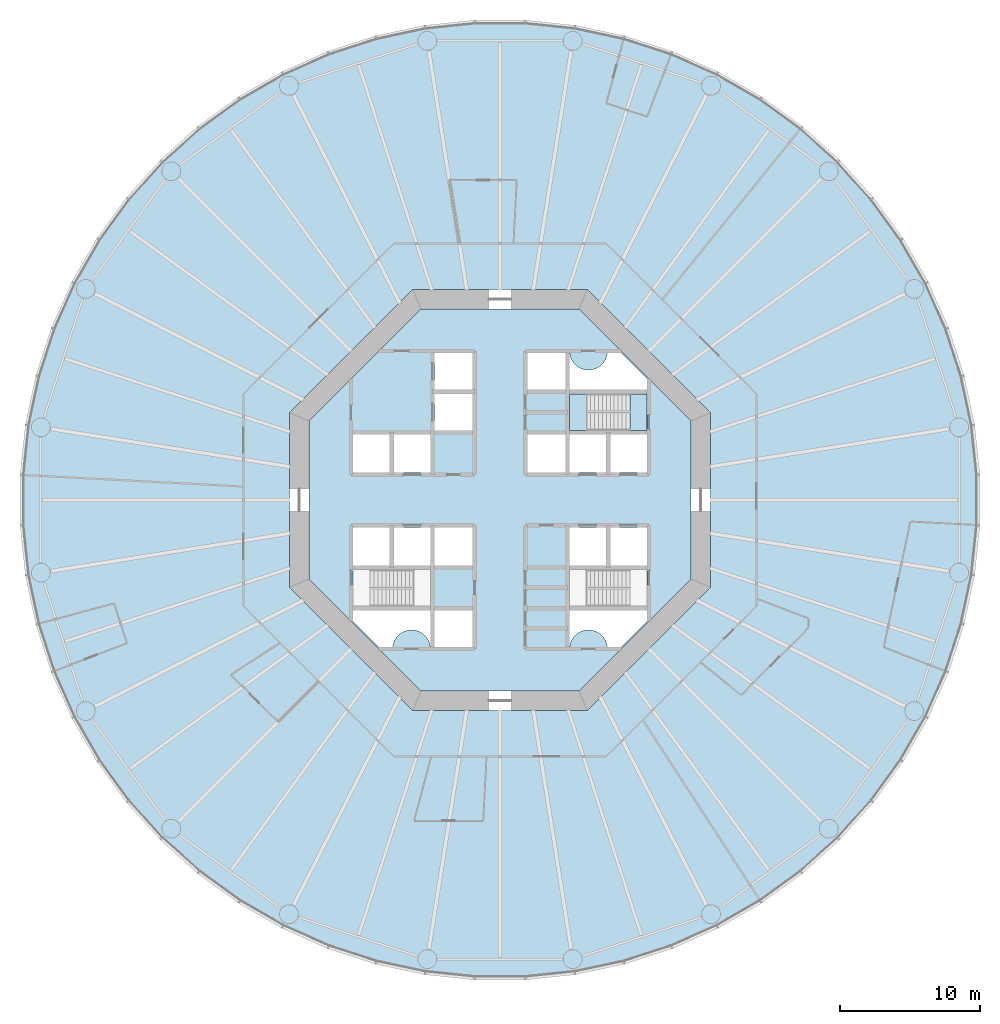
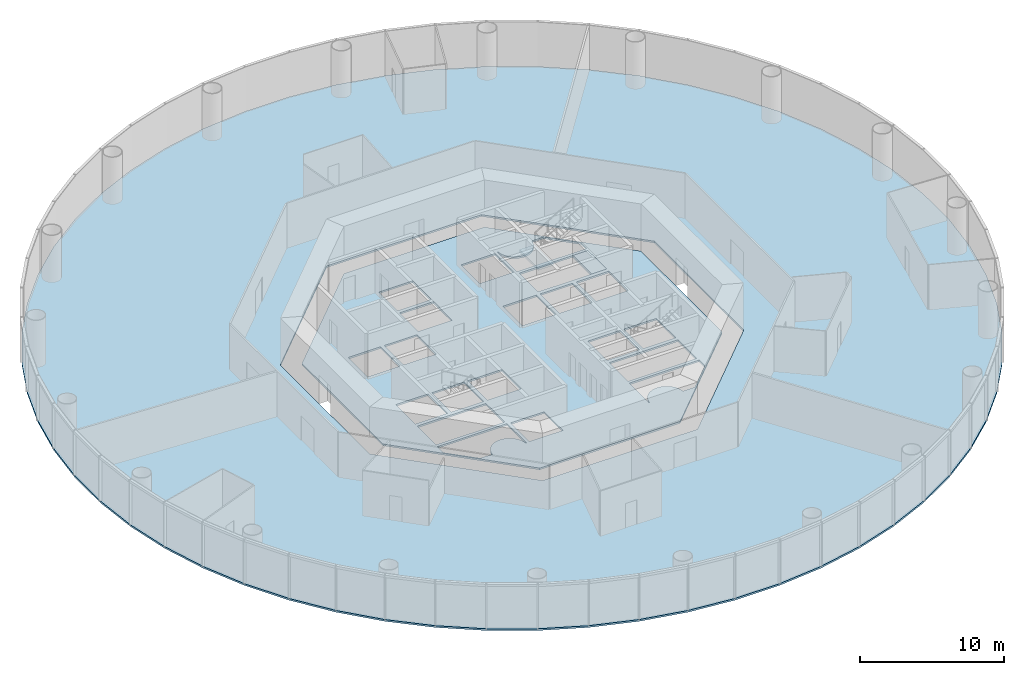
# One storey, part 2 of 13: 4 slabs, 1 element without a shape of its own.
"""IFC4 building model written with IfcOpenShell, lengths in metres."""

from ifc_helpers import new_model, si_unit, direction, frame, origin, place, context, subcontext, project, spatial, polyline, outline, extrude, material, layer, layer_set, type_object, element, aggregate, save


model = new_model("IFC4")

# Units and contexts
model_context = context("Model", 3, precision=1e-05, world=origin(), true_north=direction((0.0, 1.0)))
body_context = subcontext(model_context, "Body", "Model", "MODEL_VIEW")
ifc_project = project(units=[si_unit("LENGTHUNIT", "METRE"), si_unit("AREAUNIT", "SQUARE_METRE"), si_unit("VOLUMEUNIT", "CUBIC_METRE"), si_unit("PLANEANGLEUNIT", "RADIAN"), si_unit("MASSUNIT", "GRAM", prefix="KILO")], contexts=[model_context])

# Site, building, storey
site_placement = place(None, origin())
site = spatial("IfcSite", under=ifc_project, at=site_placement, CompositionType="ELEMENT")
building_placement = place(site_placement, origin())
building = spatial("IfcBuilding", under=site, at=building_placement, Name="Entoto Ring Tower", CompositionType="ELEMENT")
storey_placement = place(building_placement, frame((0.0, 0.0, 46.0)))
storey = spatial("IfcBuildingStorey", under=building, at=storey_placement, Name="L09", CompositionType="ELEMENT", Elevation=46.0)

# Slabs
ifc_material_1 = material(Name="Concrete C30/37", Category="concrete")
ifc_layer_1 = layer(ifc_material_1, 0.14990234375)
ifc_layer_set_1 = layer_set([ifc_layer_1], Name="Concrete C30/37")
slab_type_1 = type_object("IfcSlabType", Name="Composite floor slab 150 mm", PredefinedType="FLOOR", material=ifc_layer_set_1)
slab_1_placement = place(storey_placement, frame((0.0, 0.0, -0.14990234375)))
element("IfcSlab", 1, at=slab_1_placement, inside=storey, type_object=slab_type_1, Name="Floor slab L09", PredefinedType="FLOOR", context=body_context, shape_type="SweptSolid", body=[
    extrude(outline(polyline([(123.68017578125, 85.33447265625), (122.93798828125, 88.82568359375), (121.835205078125, 92.220458984375), (120.38330078125, 95.48095703125), (118.5986328125, 98.572265625), (116.500732421875, 101.459716796875), (114.1123046875, 104.1123046875), (111.459716796875, 106.500732421875), (108.572265625, 108.5986328125), (105.48095703125, 110.38330078125), (102.220458984375, 111.835205078125), (98.82568359375, 112.93798828125), (95.33447265625, 113.68017578125), (91.78466796875, 114.05322265625), (88.21533203125, 114.05322265625), (84.66552734375, 113.68017578125), (81.17431640625, 112.93798828125), (77.779541015625, 111.835205078125), (74.51904296875, 110.38330078125), (71.427734375, 108.5986328125), (68.540283203125, 106.500732421875), (65.8876953125, 104.1123046875), (63.499267578125, 101.459716796875), (61.4013671875, 98.572265625), (59.61669921875, 95.48095703125), (58.164794921875, 92.220458984375), (57.06201171875, 88.82568359375), (56.31982421875, 85.33447265625), (55.94677734375, 81.78466796875), (55.94677734375, 78.21533203125), (56.31982421875, 74.66552734375), (57.06201171875, 71.17431640625), (58.164794921875, 67.779541015625), (59.61669921875, 64.51904296875), (61.4013671875, 61.427734375), (63.499267578125, 58.540283203125), (65.8876953125, 55.8876953125), (68.540283203125, 53.499267578125), (71.427734375, 51.4013671875), (74.51904296875, 49.61669921875), (77.779541015625, 48.164794921875), (81.17431640625, 47.06201171875), (84.66552734375, 46.31982421875), (88.21533203125, 45.94677734375), (91.78466796875, 45.94677734375), (95.33447265625, 46.31982421875), (98.82568359375, 47.06201171875), (102.220458984375, 48.164794921875), (105.48095703125, 49.61669921875), (108.572265625, 51.4013671875), (111.459716796875, 53.499267578125), (114.1123046875, 55.8876953125), (116.500732421875, 58.540283203125), (118.5986328125, 61.427734375), (120.38330078125, 64.51904296875), (121.835205078125, 67.779541015625), (122.93798828125, 71.17431640625), (123.68017578125, 74.66552734375), (124.05322265625, 78.21533203125), (124.05322265625, 81.78466796875), (123.68017578125, 85.33447265625)]), holes=[polyline([(105.0, 73.786865234375), (105.0, 86.213134765625), (96.213134765625, 95.0), (83.786865234375, 95.0), (75.0, 86.213134765625), (75.0, 73.786865234375), (83.786865234375, 65.0), (96.213134765625, 65.0), (105.0, 73.786865234375)])]), origin(), (0.0, 0.0, 1.0), 0.14990234375),
])
ifc_material_2 = material(Name="Concrete C40/50", Category="concrete")
ifc_layer_2 = layer(ifc_material_2, 0.14990234375)
ifc_layer_set_2 = layer_set([ifc_layer_2], Name="Concrete C40/50")
slab_type_2 = type_object("IfcSlabType", Name="Core floor slab 150 mm reinforced concrete C40/50", PredefinedType="FLOOR", material=ifc_layer_set_2)
slab_2_placement = place(storey_placement, frame((0.0, 0.0, -0.14990234375)))
element("IfcSlab", 2, at=slab_2_placement, inside=storey, type_object=slab_type_2, Name="Core floor L09", PredefinedType="FLOOR", context=body_context, shape_type="SweptSolid", body=[
    extrude(outline(polyline([(103.60009765625, 74.36669921875), (103.60009765625, 85.63330078125), (95.63330078125, 93.60009765625), (84.36669921875, 93.60009765625), (76.39990234375, 85.63330078125), (76.39990234375, 74.36669921875), (84.36669921875, 66.39990234375), (95.63330078125, 66.39990234375), (103.60009765625, 74.36669921875)]), holes=[polyline([(100.449951171875, 84.949951171875), (100.449951171875, 87.550048828125), (94.949951171875, 87.550048828125), (94.949951171875, 84.949951171875), (100.449951171875, 84.949951171875)]), polyline([(85.050048828125, 72.449951171875), (85.050048828125, 75.050048828125), (79.550048828125, 75.050048828125), (79.550048828125, 72.449951171875), (85.050048828125, 72.449951171875)]), polyline([(100.449951171875, 72.449951171875), (100.449951171875, 75.050048828125), (94.949951171875, 75.050048828125), (94.949951171875, 72.449951171875), (100.449951171875, 72.449951171875)]), polyline([(94.949951171875, 81.949951171875), (97.550048828125, 81.949951171875), (97.550048828125, 84.64990234375), (94.949951171875, 84.64990234375), (94.949951171875, 81.949951171875)]), polyline([(97.85009765625, 81.949951171875), (100.449951171875, 81.949951171875), (100.449951171875, 84.64990234375), (97.85009765625, 84.64990234375), (97.85009765625, 81.949951171875)]), polyline([(82.449951171875, 81.949951171875), (85.050048828125, 81.949951171875), (85.050048828125, 84.64990234375), (82.449951171875, 84.64990234375), (82.449951171875, 81.949951171875)]), polyline([(94.949951171875, 75.35009765625), (97.550048828125, 75.35009765625), (97.550048828125, 78.050048828125), (94.949951171875, 78.050048828125), (94.949951171875, 75.35009765625)]), polyline([(97.85009765625, 75.35009765625), (100.449951171875, 75.35009765625), (100.449951171875, 78.050048828125), (97.85009765625, 78.050048828125), (97.85009765625, 75.35009765625)]), polyline([(82.449951171875, 75.35009765625), (85.050048828125, 75.35009765625), (85.050048828125, 78.050048828125), (82.449951171875, 78.050048828125), (82.449951171875, 75.35009765625)]), polyline([(79.550048828125, 81.949951171875), (82.14990234375, 81.949951171875), (82.14990234375, 84.64990234375), (79.550048828125, 84.64990234375), (79.550048828125, 81.949951171875)]), polyline([(79.550048828125, 75.35009765625), (82.14990234375, 75.35009765625), (82.14990234375, 78.050048828125), (79.550048828125, 78.050048828125), (79.550048828125, 75.35009765625)]), polyline([(91.949951171875, 87.85009765625), (94.64990234375, 87.85009765625), (94.64990234375, 90.449951171875), (91.949951171875, 90.449951171875), (91.949951171875, 87.85009765625)]), polyline([(85.35009765625, 69.550048828125), (88.050048828125, 69.550048828125), (88.050048828125, 72.14990234375), (85.35009765625, 72.14990234375), (85.35009765625, 69.550048828125)]), polyline([(91.949951171875, 81.949951171875), (94.64990234375, 81.949951171875), (94.64990234375, 84.64990234375), (91.949951171875, 84.64990234375), (91.949951171875, 81.949951171875)]), polyline([(85.35009765625, 75.35009765625), (88.050048828125, 75.35009765625), (88.050048828125, 78.050048828125), (85.35009765625, 78.050048828125), (85.35009765625, 75.35009765625)]), polyline([(85.35009765625, 84.949951171875), (88.050048828125, 84.949951171875), (88.050048828125, 87.550048828125), (85.35009765625, 87.550048828125), (85.35009765625, 84.949951171875)]), polyline([(85.35009765625, 87.85009765625), (88.050048828125, 87.85009765625), (88.050048828125, 90.449951171875), (85.35009765625, 90.449951171875), (85.35009765625, 87.85009765625)]), polyline([(94.89990234375, 90.5), (94.89990234375, 87.800048828125), (100.5, 87.800048828125), (100.5, 88.591796875), (98.591796875, 90.5), (97.64501953125, 90.5), (97.6435546875, 90.4677734375), (97.6240234375, 90.336669921875), (97.591796875, 90.2080078125), (97.547119140625, 90.08349609375), (97.490478515625, 89.963623046875), (97.422607421875, 89.85009765625), (97.343505859375, 89.74365234375), (97.254638671875, 89.6455078125), (97.156494140625, 89.556396484375), (97.050048828125, 89.4775390625), (96.936279296875, 89.409423828125), (96.816650390625, 89.352783203125), (96.69189453125, 89.30810546875), (96.5634765625, 89.27587890625), (96.432373046875, 89.256591796875), (96.300048828125, 89.25), (96.167724609375, 89.256591796875), (96.03662109375, 89.27587890625), (95.908203125, 89.30810546875), (95.783447265625, 89.352783203125), (95.66357421875, 89.409423828125), (95.550048828125, 89.4775390625), (95.443603515625, 89.556396484375), (95.345458984375, 89.6455078125), (95.25634765625, 89.74365234375), (95.177490234375, 89.85009765625), (95.109375, 89.963623046875), (95.052734375, 90.08349609375), (95.008056640625, 90.2080078125), (94.975830078125, 90.336669921875), (94.95654296875, 90.4677734375), (94.954833984375, 90.5), (94.89990234375, 90.5)]), polyline([(79.5, 71.408203125), (81.408203125, 69.5), (82.35498046875, 69.5), (82.3564453125, 69.5322265625), (82.3759765625, 69.663330078125), (82.408203125, 69.7919921875), (82.452880859375, 69.91650390625), (82.509521484375, 70.036376953125), (82.577392578125, 70.14990234375), (82.656494140625, 70.25634765625), (82.745361328125, 70.3544921875), (82.843505859375, 70.443603515625), (82.949951171875, 70.5224609375), (83.063720703125, 70.590576171875), (83.183349609375, 70.647216796875), (83.30810546875, 70.69189453125), (83.4365234375, 70.72412109375), (83.567626953125, 70.743408203125), (83.699951171875, 70.75), (83.832275390625, 70.743408203125), (83.96337890625, 70.72412109375), (84.091796875, 70.69189453125), (84.216552734375, 70.647216796875), (84.33642578125, 70.590576171875), (84.449951171875, 70.5224609375), (84.556396484375, 70.443603515625), (84.654541015625, 70.3544921875), (84.74365234375, 70.25634765625), (84.822509765625, 70.14990234375), (84.890625, 70.036376953125), (84.947265625, 69.91650390625), (84.991943359375, 69.7919921875), (85.024169921875, 69.663330078125), (85.04345703125, 69.5322265625), (85.045166015625, 69.5), (85.10009765625, 69.5), (85.10009765625, 72.199951171875), (79.5, 72.199951171875), (79.5, 71.408203125)]), polyline([(97.64501953125, 69.5), (98.591796875, 69.5), (100.5, 71.408203125), (100.5, 72.199951171875), (94.89990234375, 72.199951171875), (94.89990234375, 69.5), (94.954833984375, 69.5), (94.95654296875, 69.5322265625), (94.975830078125, 69.663330078125), (95.008056640625, 69.7919921875), (95.052734375, 69.91650390625), (95.109375, 70.036376953125), (95.177490234375, 70.14990234375), (95.25634765625, 70.25634765625), (95.345458984375, 70.3544921875), (95.443603515625, 70.443603515625), (95.550048828125, 70.5224609375), (95.66357421875, 70.590576171875), (95.783447265625, 70.647216796875), (95.908203125, 70.69189453125), (96.03662109375, 70.72412109375), (96.167724609375, 70.743408203125), (96.300048828125, 70.75), (96.432373046875, 70.743408203125), (96.5634765625, 70.72412109375), (96.69189453125, 70.69189453125), (96.816650390625, 70.647216796875), (96.936279296875, 70.590576171875), (97.050048828125, 70.5224609375), (97.156494140625, 70.443603515625), (97.254638671875, 70.3544921875), (97.343505859375, 70.25634765625), (97.422607421875, 70.14990234375), (97.490478515625, 70.036376953125), (97.547119140625, 69.91650390625), (97.591796875, 69.7919921875), (97.6240234375, 69.663330078125), (97.6435546875, 69.5322265625), (97.64501953125, 69.5)])]), origin(), (0.0, 0.0, 1.0), 0.14990234375),
])

# Stair, slabs
ifc_material_3 = material(Name="Concrete C40/50", Category="concrete")
stair_type = type_object("IfcStairType", Name="Exit stair 1200 mm dog-leg reinforced concrete", PredefinedType="HALF_TURN_STAIR", material=ifc_material_3)
stair_placement = place(storey_placement, origin())
stair = element("IfcStair", 3, at=stair_placement, inside=storey, type_object=stair_type, Name="Exit stair 1", PredefinedType="HALF_TURN_STAIR")
ifc_material_4 = material(Name="Concrete C40/50", Category="concrete")
ifc_layer_3 = layer(ifc_material_4, 0.199951171875)
ifc_layer_set_3 = layer_set([ifc_layer_3], Name="Concrete C40/50")
slab_type_3 = type_object("IfcSlabType", Name="Stair landing 200 mm reinforced concrete", PredefinedType="LANDING", material=ifc_layer_set_3)
slab_3_placement = place(storey_placement, frame((0.0, 0.0, -0.199951171875)))
slab_3 = element("IfcSlab", 4, at=slab_3_placement, type_object=slab_type_3, Name="ST1 landing 1", PredefinedType="LANDING", context=body_context, shape_type="SweptSolid", body=[
    extrude(outline(polyline([(100.449951171875, 84.949951171875), (100.449951171875, 87.550048828125), (99.25, 87.550048828125), (99.25, 84.949951171875), (100.449951171875, 84.949951171875)])), origin(), (0.0, 0.0, 1.0), 0.199951171875),
])
slab_4_placement = place(storey_placement, frame((0.0, 0.0, 1.800048828125)))
slab_4 = element("IfcSlab", 5, at=slab_4_placement, type_object=slab_type_3, Name="ST1 landing 2", PredefinedType="LANDING", context=body_context, shape_type="SweptSolid", body=[
    extrude(outline(polyline([(94.949951171875, 84.949951171875), (96.169921875, 84.949951171875), (96.169921875, 87.550048828125), (94.949951171875, 87.550048828125), (94.949951171875, 84.949951171875)])), origin(), (0.0, 0.0, 1.0), 0.199951171875),
])
aggregate(stair, [slab_3, slab_4])

save(model, "model.ifc")
